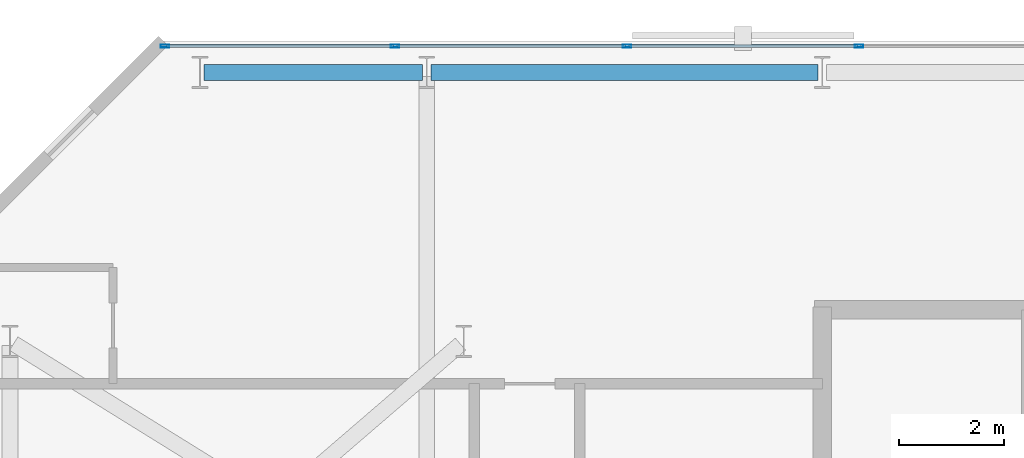
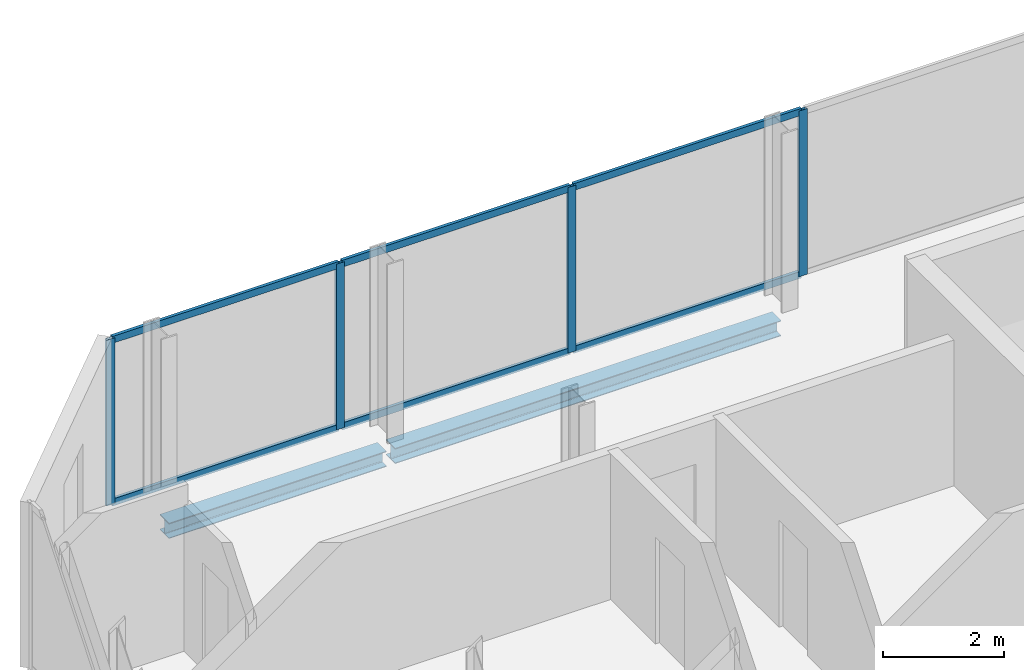
# One storey, part 19 of 32: 10 members, 2 beams, 1 element without a shape of its own.
"""IFC4 building model written with IfcOpenShell, lengths in metres."""

from ifc_helpers import new_model, si_unit, direction, frame, origin, origin_2d, place, context, subcontext, project, spatial, hollow_rectangle, i_section, extrude, material, layer, layer_set, material_profile, profile_set, type_object, element, aggregate, save


model = new_model("IFC4")

# Units and contexts
model_context = context("Model", 3, precision=1e-05, world=origin(), true_north=direction((0.0, 1.0)))
body_context = subcontext(model_context, "Body", "Model", "MODEL_VIEW")
ifc_project = project(units=[si_unit("LENGTHUNIT", "METRE"), si_unit("AREAUNIT", "SQUARE_METRE"), si_unit("VOLUMEUNIT", "CUBIC_METRE"), si_unit("PLANEANGLEUNIT", "RADIAN"), si_unit("MASSUNIT", "GRAM", prefix="KILO")], contexts=[model_context])

# Site, building, storey
site_placement = place(None, origin())
site = spatial("IfcSite", under=ifc_project, at=site_placement, CompositionType="ELEMENT")
building_placement = place(site_placement, origin())
building = spatial("IfcBuilding", under=site, at=building_placement, Name="Catumbela Crestline Tower", CompositionType="ELEMENT")
storey_placement = place(building_placement, frame((0.0, 0.0, 136.8)))
storey = spatial("IfcBuildingStorey", under=building, at=storey_placement, Name="L35", CompositionType="ELEMENT", Elevation=136.8)

# Curtain wall, members
ifc_material_1 = material(Name="Aluminium alloy AW-6060-T66", Category="aluminium")
ifc_layer = layer(ifc_material_1, 0.18, Name="Aluminium alloy AW-6060-T66")
ifc_layer_set = layer_set([ifc_layer], Name="Aluminium alloy AW-6060-T66")
curtain_wall_type = type_object("IfcCurtainWallType", Name="CWU-Z2", PredefinedType="USERDEFINED", material=ifc_layer_set)
curtain_wall_placement = place(storey_placement, origin())
curtain_wall = element("IfcCurtainWall", 1, at=curtain_wall_placement, inside=storey, type_object=curtain_wall_type, Name="L35 Unitised Curtain Wall CW-L35-E7S1", ObjectType="UNITISED", PredefinedType="USERDEFINED")
ifc_material_profile_1 = material_profile(ifc_material_1, hollow_rectangle(XDim=0.06, YDim=0.16, WallThickness=0.004, at=origin_2d()), Name="ALU 160x60x4")
ifc_profile_set_1 = profile_set([ifc_material_profile_1], Name="Aluminium alloy AW-6060-T66")
member_type_1 = type_object("IfcMemberType", Name="MUL-160X60", PredefinedType="MULLION", material=ifc_profile_set_1)
member_1_placement = place(storey_placement, frame((16.7, 47.9, 0.0), z_axis=(0.0, 0.0, 1.0), x_axis=(0.0, -1.0, 0.0)))
member_1 = element("IfcMember", 2, at=member_1_placement, type_object=member_type_1, Name="CWU-Z2 mullion 8", PredefinedType="MULLION", context=body_context, shape_type="SweptSolid", body=[
    extrude(hollow_rectangle(XDim=0.06, YDim=0.16, WallThickness=0.004, at=origin_2d()), origin(), (0.0, 0.0, 1.0), 3.33),
])
member_2_placement = place(storey_placement, frame((12.3, 47.9, 0.0), z_axis=(0.0, 0.0, 1.0), x_axis=(0.0, -1.0, 0.0)))
member_2 = element("IfcMember", 3, at=member_2_placement, type_object=member_type_1, Name="CWU-Z2 mullion 9", PredefinedType="MULLION", context=body_context, shape_type="SweptSolid", body=[
    extrude(hollow_rectangle(XDim=0.06, YDim=0.16, WallThickness=0.004, at=origin_2d()), origin(), (0.0, 0.0, 1.0), 3.33),
])
member_3_placement = place(storey_placement, frame((7.9, 47.9, 0.0), z_axis=(0.0, 0.0, 1.0), x_axis=(0.0, -1.0, 0.0)))
member_3 = element("IfcMember", 4, at=member_3_placement, type_object=member_type_1, Name="CWU-Z2 mullion 10", PredefinedType="MULLION", context=body_context, shape_type="SweptSolid", body=[
    extrude(hollow_rectangle(XDim=0.06, YDim=0.16, WallThickness=0.004, at=origin_2d()), origin(), (0.0, 0.0, 1.0), 3.33),
])
member_4_placement = place(storey_placement, frame((3.5325, 47.9, 0.0), z_axis=(0.0, 0.0, 1.0), x_axis=(0.0, -1.0, 0.0)))
member_4 = element("IfcMember", 5, at=member_4_placement, type_object=member_type_1, Name="CWU-Z2 mullion 11", PredefinedType="MULLION", context=body_context, shape_type="SweptSolid", body=[
    extrude(hollow_rectangle(XDim=0.06, YDim=0.16, WallThickness=0.004, at=origin_2d()), origin(), (0.0, 0.0, 1.0), 3.33),
])

# Beams
ifc_material_2 = material(Name="Structural steel S355J2", Category="steel")
ifc_material_profile_2 = material_profile(ifc_material_2, i_section(OverallWidth=0.3, OverallDepth=0.31, WebThickness=0.009, FlangeThickness=0.0155, FilletRadius=0.027, at=origin_2d()), Name="HEA 320")
ifc_profile_set_2 = profile_set([ifc_material_profile_2], Name="Structural steel S355J2")
beam_type = type_object("IfcBeamType", Name="BS-HEA320", PredefinedType="SPANDREL", material=ifc_profile_set_2)
beam_1_placement = place(storey_placement, frame((4.28, 47.4, -0.415), z_axis=(1.0, 0.0, 0.0), x_axis=(0.0, 1.0, 0.0)))
element("IfcBeam", 6, at=beam_1_placement, inside=storey, type_object=beam_type, Name="L35 Spandrel SP-L35-NF17", PredefinedType="SPANDREL", context=body_context, shape_type="SweptSolid", body=[
    extrude(i_section(OverallWidth=0.3, OverallDepth=0.31, WebThickness=0.009, FlangeThickness=0.0155, FilletRadius=0.027, at=origin_2d()), origin(), (0.0, 0.0, 1.0), 4.14),
])
beam_2_placement = place(storey_placement, frame((8.58, 47.4, -0.415), z_axis=(1.0, 0.0, 0.0), x_axis=(0.0, 1.0, 0.0)))
element("IfcBeam", 7, at=beam_2_placement, inside=storey, type_object=beam_type, Name="L35 Spandrel SP-L35-NF18", PredefinedType="SPANDREL", context=body_context, shape_type="SweptSolid", body=[
    extrude(i_section(OverallWidth=0.3, OverallDepth=0.31, WebThickness=0.009, FlangeThickness=0.0155, FilletRadius=0.027, at=origin_2d()), origin(), (0.0, 0.0, 1.0), 7.34),
])

# Member
ifc_material_profile_3 = material_profile(ifc_material_1, hollow_rectangle(XDim=0.06, YDim=0.14, WallThickness=0.004, at=origin_2d()), Name="ALU 140x60x4")
ifc_profile_set_3 = profile_set([ifc_material_profile_3], Name="Aluminium alloy AW-6060-T66")
member_type_2 = type_object("IfcMemberType", Name="TRN-140X60", PredefinedType="USERDEFINED", material=ifc_profile_set_3)
member_5_placement = place(storey_placement, frame((16.6675, 47.9, 0.03), z_axis=(-1.0, 0.0, 0.0), x_axis=(0.0, -1.0, 0.0)))
member_5 = element("IfcMember", 8, at=member_5_placement, type_object=member_type_2, Name="CWU-Z2 transom 8.1", ObjectType="TRANSOM", PredefinedType="USERDEFINED", context=body_context, shape_type="SweptSolid", body=[
    extrude(hollow_rectangle(XDim=0.06, YDim=0.14, WallThickness=0.004, at=origin_2d()), origin(), (0.0, 0.0, 1.0), 4.335),
])

member_6_placement = place(storey_placement, frame((16.6675, 47.9, 3.3), z_axis=(-1.0, 0.0, 0.0), x_axis=(0.0, -1.0, 0.0)))
member_6 = element("IfcMember", 9, at=member_6_placement, type_object=member_type_2, Name="CWU-Z2 transom 8.2", ObjectType="TRANSOM", PredefinedType="USERDEFINED", context=body_context, shape_type="SweptSolid", body=[
    extrude(hollow_rectangle(XDim=0.06, YDim=0.14, WallThickness=0.004, at=origin_2d()), origin(), (0.0, 0.0, 1.0), 4.335),
])

member_7_placement = place(storey_placement, frame((12.2675, 47.9, 0.03), z_axis=(-1.0, 0.0, 0.0), x_axis=(0.0, -1.0, 0.0)))
member_7 = element("IfcMember", 10, at=member_7_placement, type_object=member_type_2, Name="CWU-Z2 transom 9.1", ObjectType="TRANSOM", PredefinedType="USERDEFINED", context=body_context, shape_type="SweptSolid", body=[
    extrude(hollow_rectangle(XDim=0.06, YDim=0.14, WallThickness=0.004, at=origin_2d()), origin(), (0.0, 0.0, 1.0), 4.335),
])

member_8_placement = place(storey_placement, frame((12.2675, 47.9, 3.3), z_axis=(-1.0, 0.0, 0.0), x_axis=(0.0, -1.0, 0.0)))
member_8 = element("IfcMember", 11, at=member_8_placement, type_object=member_type_2, Name="CWU-Z2 transom 9.2", ObjectType="TRANSOM", PredefinedType="USERDEFINED", context=body_context, shape_type="SweptSolid", body=[
    extrude(hollow_rectangle(XDim=0.06, YDim=0.14, WallThickness=0.004, at=origin_2d()), origin(), (0.0, 0.0, 1.0), 4.335),
])

member_9_placement = place(storey_placement, frame((7.8675, 47.9, 0.03), z_axis=(-1.0, 0.0, 0.0), x_axis=(0.0, -1.0, 0.0)))
member_9 = element("IfcMember", 12, at=member_9_placement, type_object=member_type_2, Name="CWU-Z2 transom 10.1", ObjectType="TRANSOM", PredefinedType="USERDEFINED", context=body_context, shape_type="SweptSolid", body=[
    extrude(hollow_rectangle(XDim=0.06, YDim=0.14, WallThickness=0.004, at=origin_2d()), origin(), (0.0, 0.0, 1.0), 4.3025),
])

member_10_placement = place(storey_placement, frame((7.8675, 47.9, 3.3), z_axis=(-1.0, 0.0, 0.0), x_axis=(0.0, -1.0, 0.0)))
member_10 = element("IfcMember", 13, at=member_10_placement, type_object=member_type_2, Name="CWU-Z2 transom 10.2", ObjectType="TRANSOM", PredefinedType="USERDEFINED", context=body_context, shape_type="SweptSolid", body=[
    extrude(hollow_rectangle(XDim=0.06, YDim=0.14, WallThickness=0.004, at=origin_2d()), origin(), (0.0, 0.0, 1.0), 4.3025),
])

aggregate(curtain_wall, [member_1, member_2, member_3, member_4, member_5, member_6, member_7, member_8, member_9, member_10])

save(model, "model.ifc")
